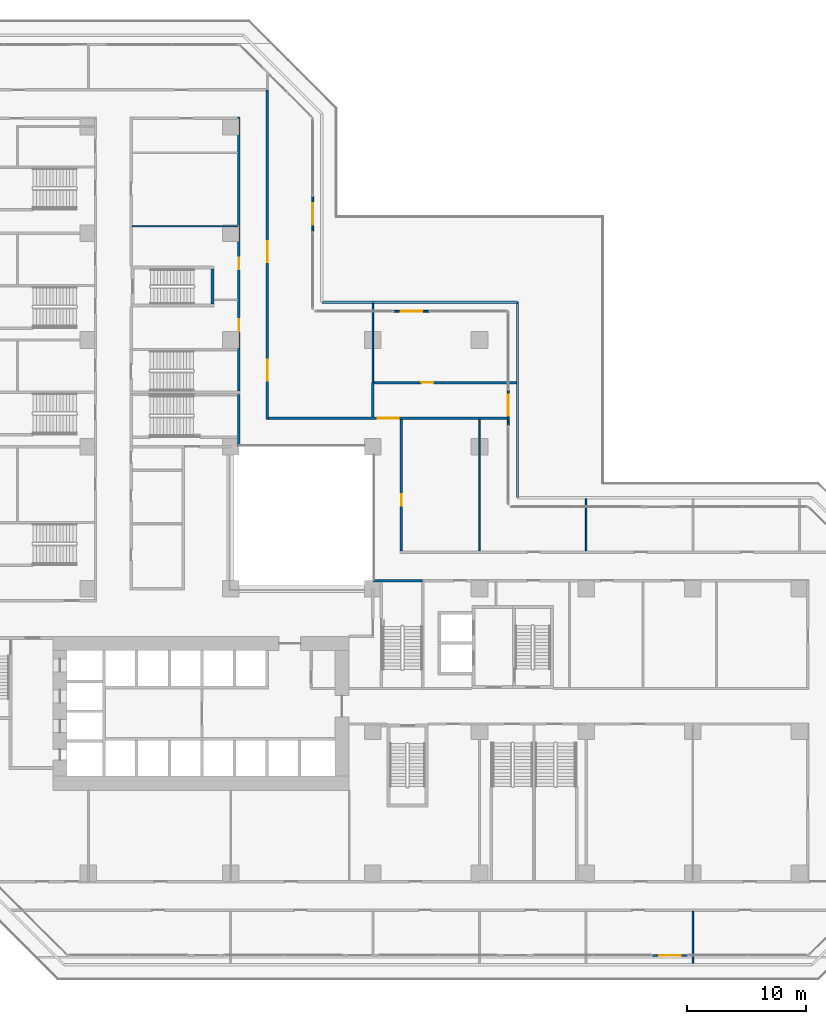
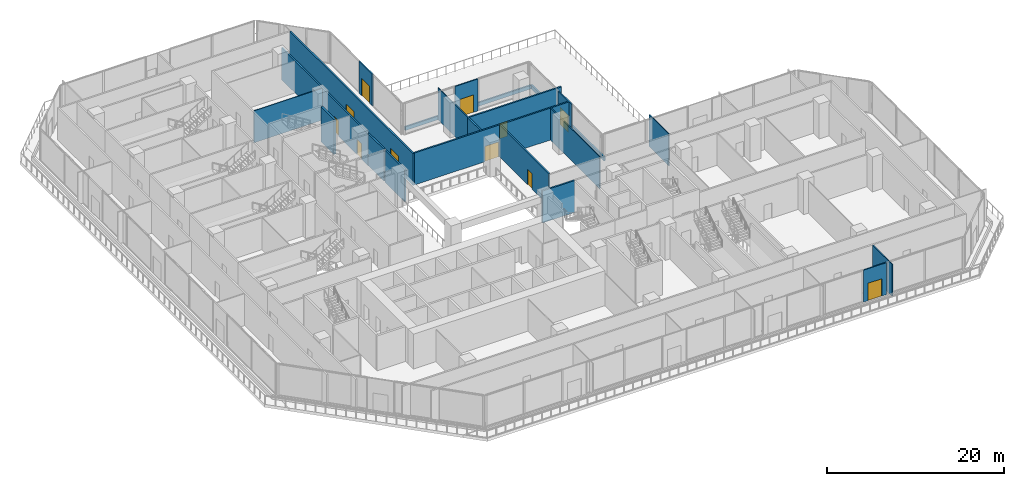
# One storey, part 15 of 25: 21 walls, 11 doors, 11 openings.
"""IFC4 building model written with IfcOpenShell, lengths in metres."""

from ifc_helpers import new_model, si_unit, direction, frame, frame_2d, origin, place, context, subcontext, project, spatial, rectangle, extrude, material, layer, layer_set, type_object, element, fill, save


model = new_model("IFC4")

# Units and contexts
model_context = context("Model", 3, precision=1e-05, world=origin(), true_north=direction((0.0, 1.0)))
body_context = subcontext(model_context, "Body", "Model", "MODEL_VIEW")
ifc_project = project(units=[si_unit("LENGTHUNIT", "METRE"), si_unit("AREAUNIT", "SQUARE_METRE"), si_unit("VOLUMEUNIT", "CUBIC_METRE"), si_unit("PLANEANGLEUNIT", "RADIAN"), si_unit("MASSUNIT", "GRAM", prefix="KILO")], contexts=[model_context])

# Site, building, storey
site_placement = place(None, origin())
site = spatial("IfcSite", under=ifc_project, at=site_placement, CompositionType="ELEMENT")
building_placement = place(site_placement, origin())
building = spatial("IfcBuilding", under=site, at=building_placement, Name="Chenar Terraces", CompositionType="ELEMENT")
storey_placement = place(building_placement, frame((0.0, 0.0, 21.60009765625)))
storey = spatial("IfcBuildingStorey", under=building, at=storey_placement, Name="L04", CompositionType="ELEMENT", Elevation=21.60009765625)

# Walls
ifc_material_1 = material(Name="Gypsum board on steel studs with mineral wool", Category="steel")
ifc_layer_1 = layer(ifc_material_1, 0.125)
ifc_layer_set_1 = layer_set([ifc_layer_1], Name="Gypsum board on steel studs with mineral wool")
wall_type_1 = type_object("IfcWallType", Name="Acoustic partition 125", PredefinedType="PARTITIONING", material=ifc_layer_set_1)
wall_1_placement = place(storey_placement, frame((36.0, 41.39990234375, 0.0), z_axis=(0.0, 0.0, 1.0), x_axis=(0.0, 1.0, 0.0)))
element("IfcWall", 1, at=wall_1_placement, inside=storey, type_object=wall_type_1, Name="Partition L04-078", PredefinedType="PARTITIONING", context=body_context, shape_type="SweptSolid", body=[
    extrude(rectangle(XDim=6.7001953125, YDim=0.125, at=frame_2d((3.35009765625, 0.0))), origin(), (0.0, 0.0, 1.0), 4.39990234375),
])
wall_2_placement = place(storey_placement, frame((45.0, 27.199951171875, 0.0), z_axis=(0.0, 0.0, 1.0), x_axis=(0.0, 1.0, 0.0)))
element("IfcWall", 2, at=wall_2_placement, inside=storey, type_object=wall_type_1, Name="Partition L04-090", PredefinedType="PARTITIONING", context=body_context, shape_type="SweptSolid", body=[
    extrude(rectangle(XDim=11.10009765625, YDim=0.125, at=frame_2d((5.550048828125, 0.0))), origin(), (0.0, 0.0, 1.0), 4.39990234375),
])
for number, where, z_axis, x_axis, name in (
    (3, (54.0, 27.199951171875, 0.0), (0.0, 0.0, 1.0), (0.0, 1.0, 0.0), "Partition L04-099"),
    (4, (63.0, -7.60009765625, 0.0), (0.0, 0.0, 1.0), (0.0, 1.0, 0.0), "Partition L04-101"),
):
    element("IfcWall", number, at=place(storey_placement, frame(where, z_axis=z_axis, x_axis=x_axis)), inside=storey, type_object=wall_type_1, Name=name, PredefinedType="PARTITIONING", context=body_context, shape_type="SweptSolid", body=[
        extrude(rectangle(XDim=4.400146484375, YDim=0.125, at=frame_2d((2.2001953125, 0.0))), origin(), (0.0, 0.0, 1.0), 4.39990234375),
    ])
ifc_material_2 = material(Name="Concrete C70/85", Category="concrete")
ifc_layer_2 = layer(ifc_material_2, 0.25)
ifc_layer_set_2 = layer_set([ifc_layer_2], Name="Concrete C70/85")
wall_type_2 = type_object("IfcWallType", Name="Core wall 250 Concrete C70/85", PredefinedType="SHEAR", material=ifc_layer_set_2)
wall_3_placement = place(storey_placement, frame((22.47509765625, 48.02490234375, 0.0), z_axis=(0.0, 0.0, 1.0), x_axis=(0.0, 1.0, 0.0)))
element("IfcWall", 5, at=wall_3_placement, inside=storey, type_object=wall_type_2, Name="Core wall ST4_E L04", PredefinedType="SHEAR", context=body_context, shape_type="SweptSolid", body=[
    extrude(rectangle(XDim=2.9501953125, YDim=0.25, at=frame_2d((1.47509765625, 0.0))), origin(), (0.0, 0.0, 1.0), 4.7998046875),
])

# Wall, openings, doors
ifc_material_3 = material(Name="Gypsum board on steel studs with fire boards", Category="steel")
ifc_layer_3 = layer(ifc_material_3, 0.199951171875)
ifc_layer_set_3 = layer_set([ifc_layer_3], Name="Gypsum board on steel studs with fire boards")
wall_type_3 = type_object("IfcWallType", Name="Corridor wall 200", PredefinedType="PARTITIONING", material=ifc_layer_set_3)
wall_4_placement = place(storey_placement, frame((24.699951171875, 44.300048828125, 0.0), z_axis=(0.0, 0.0, 1.0), x_axis=(0.0, 1.0, 0.0)))
wall_4 = element("IfcWall", 6, at=wall_4_placement, inside=storey, type_object=wall_type_3, Name="Partition L04-066", PredefinedType="PARTITIONING", context=body_context, shape_type="SweptSolid", body=[
    extrude(rectangle(XDim=19.5, YDim=0.199951171875, at=frame_2d((9.75, 0.0))), origin(), (0.0, 0.0, 1.0), 4.39990234375),
])
opening_1_placement = place(wall_4_placement, frame((1.449951171875, 0.0, 0.0)))
opening_1 = element("IfcOpeningElement", 7, at=opening_1_placement, cuts=wall_4, Name="Opening DL04-19", PredefinedType="OPENING", context=body_context, shape_type="SweptSolid", body=[
    extrude(rectangle(XDim=1.0, YDim=2.10009765625, at=frame_2d((0.5, 1.050048828125))), frame((0.0, 0.10986328125, 0.0), z_axis=(0.0, -1.0, 0.0), x_axis=(1.0, 0.0, 0.0)), (0.0, 0.0, 1.0), 0.219970703125),
])
opening_2_placement = place(wall_4_placement, frame((6.64990234375, 0.0, 0.0)))
opening_2 = element("IfcOpeningElement", 8, at=opening_2_placement, cuts=wall_4, Name="Opening DL04-20", PredefinedType="OPENING", context=body_context, shape_type="SweptSolid", body=[
    extrude(rectangle(XDim=1.0, YDim=2.10009765625, at=frame_2d((0.5, 1.050048828125))), frame((0.0, 0.10986328125, 0.0), z_axis=(0.0, -1.0, 0.0), x_axis=(1.0, 0.0, 0.0)), (0.0, 0.0, 1.0), 0.219970703125),
])
ifc_material_4 = material(Name="Steel-framed fire-resisting door leaf", Category="steel")
door_type_1 = type_object("IfcDoorType", Name="Fire door FD60 1000 x 2100", OperationType="SINGLE_SWING_LEFT", PredefinedType="DOOR", material=ifc_material_4)
door_1_placement = place(opening_1_placement, origin())
door_1 = element("IfcDoor", 9, at=door_1_placement, inside=storey, type_object=door_type_1, Name="Door DL04-19", OperationType="SINGLE_SWING_LEFT", OverallHeight=2.10009765625, OverallWidth=1.0, PredefinedType="DOOR", context=body_context, shape_type="SweptSolid", body=[
    extrude(rectangle(XDim=1.0, YDim=2.10009765625, at=frame_2d((0.5, 1.050048828125))), frame((0.0, 0.02490234375, 0.0), z_axis=(0.0, -1.0, 0.0), x_axis=(1.0, 0.0, 0.0)), (0.0, 0.0, 1.0), 0.050048828125),
])
fill(opening_1, door_1)
door_2_placement = place(opening_2_placement, origin())
door_2 = element("IfcDoor", 10, at=door_2_placement, inside=storey, type_object=door_type_1, Name="Door DL04-20", OperationType="SINGLE_SWING_RIGHT", OverallHeight=2.10009765625, OverallWidth=1.0, PredefinedType="DOOR", context=body_context, shape_type="SweptSolid", body=[
    extrude(rectangle(XDim=1.0, YDim=2.10009765625, at=frame_2d((0.5, 1.050048828125))), frame((0.0, 0.02490234375, 0.0), z_axis=(0.0, -1.0, 0.0), x_axis=(1.0, 0.0, 0.0)), (0.0, 0.0, 1.0), 0.050048828125),
])
fill(opening_2, door_2)

wall_5_placement = place(storey_placement, frame((27.10009765625, 38.300048828125, 0.0), z_axis=(0.0, 0.0, 1.0), x_axis=(0.0, 1.0, 0.0)))
wall_5 = element("IfcWall", 11, at=wall_5_placement, inside=storey, type_object=wall_type_3, Name="Partition L04-067", PredefinedType="PARTITIONING", context=body_context, shape_type="SweptSolid", body=[
    extrude(rectangle(XDim=27.800048828125, YDim=0.199951171875, at=frame_2d((13.89990234375, 0.0))), origin(), (0.0, 0.0, 1.0), 4.39990234375),
])
opening_3_placement = place(wall_5_placement, frame((13.25, 0.0, 0.0)))
opening_3 = element("IfcOpeningElement", 12, at=opening_3_placement, cuts=wall_5, Name="Opening DL04-16", PredefinedType="OPENING", context=body_context, shape_type="SweptSolid", body=[
    extrude(rectangle(XDim=1.800048828125, YDim=2.10009765625, at=frame_2d((0.89990234375, 1.050048828125))), frame((0.0, 0.10986328125, 0.0), z_axis=(0.0, -1.0, 0.0), x_axis=(1.0, 0.0, 0.0)), (0.0, 0.0, 1.0), 0.219970703125),
])
opening_4_placement = place(wall_5_placement, frame((3.25, 0.0, 0.0)))
opening_4 = element("IfcOpeningElement", 13, at=opening_4_placement, cuts=wall_5, Name="Opening DL04-17", PredefinedType="OPENING", context=body_context, shape_type="SweptSolid", body=[
    extrude(rectangle(XDim=1.800048828125, YDim=2.10009765625, at=frame_2d((0.89990234375, 1.050048828125))), frame((0.0, 0.10986328125, 0.0), z_axis=(0.0, -1.0, 0.0), x_axis=(1.0, 0.0, 0.0)), (0.0, 0.0, 1.0), 0.219970703125),
])
ifc_material_5 = material(Name="Steel-framed fire-resisting door leaf", Category="steel")
door_type_2 = type_object("IfcDoorType", Name="Fire double door FD60 1800 x 2100", OperationType="DOUBLE_DOOR_SINGLE_SWING", PredefinedType="DOOR", material=ifc_material_5)
door_3_placement = place(opening_3_placement, origin())
door_3 = element("IfcDoor", 14, at=door_3_placement, inside=storey, type_object=door_type_2, Name="Door DL04-16", OperationType="DOUBLE_DOOR_SINGLE_SWING", OverallHeight=2.10009765625, OverallWidth=1.800048828125, PredefinedType="DOOR", context=body_context, shape_type="SweptSolid", body=[
    extrude(rectangle(XDim=1.800048828125, YDim=2.10009765625, at=frame_2d((0.89990234375, 1.050048828125))), frame((0.0, 0.02490234375, 0.0), z_axis=(0.0, -1.0, 0.0), x_axis=(1.0, 0.0, 0.0)), (0.0, 0.0, 1.0), 0.050048828125),
])
fill(opening_3, door_3)
door_4_placement = place(opening_4_placement, origin())
door_4 = element("IfcDoor", 15, at=door_4_placement, inside=storey, type_object=door_type_2, Name="Door DL04-17", OperationType="DOUBLE_DOOR_SINGLE_SWING", OverallHeight=2.10009765625, OverallWidth=1.800048828125, PredefinedType="DOOR", context=body_context, shape_type="SweptSolid", body=[
    extrude(rectangle(XDim=1.800048828125, YDim=2.10009765625, at=frame_2d((0.89990234375, 1.050048828125))), frame((0.0, 0.02490234375, 0.0), z_axis=(0.0, -1.0, 0.0), x_axis=(1.0, 0.0, 0.0)), (0.0, 0.0, 1.0), 0.050048828125),
])
fill(opening_4, door_4)

# Wall, opening, door
wall_6_placement = place(storey_placement, frame((27.199951171875, 38.39990234375, 0.0), z_axis=(0.0, 0.0, 1.0), x_axis=(1.0, 0.0, 0.0)))
wall_6 = element("IfcWall", 16, at=wall_6_placement, inside=storey, type_object=wall_type_3, Name="Partition L04-069", PredefinedType="PARTITIONING", context=body_context, shape_type="SweptSolid", body=[
    extrude(rectangle(XDim=20.151123046875, YDim=0.199951171875, at=frame_2d((10.07568359375, 0.0))), origin(), (0.0, 0.0, 1.0), 4.39990234375),
])
opening_5_placement = place(wall_6_placement, frame((9.199951171875, 0.0, 0.0)))
opening_5 = element("IfcOpeningElement", 17, at=opening_5_placement, cuts=wall_6, Name="Opening DL04-33", PredefinedType="OPENING", context=body_context, shape_type="SweptSolid", body=[
    extrude(rectangle(XDim=1.800048828125, YDim=2.10009765625, at=frame_2d((0.89990234375, 1.050048828125))), frame((0.0, 0.10986328125, 0.0), z_axis=(0.0, -1.0, 0.0), x_axis=(1.0, 0.0, 0.0)), (0.0, 0.0, 1.0), 0.219970703125),
])
door_5_placement = place(opening_5_placement, origin())
door_5 = element("IfcDoor", 18, at=door_5_placement, inside=storey, type_object=door_type_2, Name="Door DL04-33", OperationType="DOUBLE_DOOR_SINGLE_SWING", OverallHeight=2.10009765625, OverallWidth=1.800048828125, PredefinedType="DOOR", context=body_context, shape_type="SweptSolid", body=[
    extrude(rectangle(XDim=1.800048828125, YDim=2.10009765625, at=frame_2d((0.89990234375, 1.050048828125))), frame((0.0, 0.02490234375, 0.0), z_axis=(0.0, -1.0, 0.0), x_axis=(1.0, 0.0, 0.0)), (0.0, 0.0, 1.0), 0.050048828125),
])
fill(opening_5, door_5)

# Wall
wall_7_placement = place(storey_placement, frame((36.0, 38.5, 0.0), z_axis=(0.0, 0.0, 1.0), x_axis=(0.0, 1.0, 0.0)))
element("IfcWall", 19, at=wall_7_placement, inside=storey, type_object=wall_type_3, Name="Partition L04-077", PredefinedType="PARTITIONING", context=body_context, shape_type="SweptSolid", body=[
    extrude(rectangle(XDim=2.89990234375, YDim=0.199951171875, at=frame_2d((1.449951171875, 0.0))), origin(), (0.0, 0.0, 1.0), 4.39990234375),
])

# Wall, opening, door
wall_8_placement = place(storey_placement, frame((36.10009765625, 41.39990234375, 0.0), z_axis=(0.0, 0.0, 1.0), x_axis=(1.0, 0.0, 0.0)))
wall_8 = element("IfcWall", 20, at=wall_8_placement, inside=storey, type_object=wall_type_3, Name="Partition L04-079", PredefinedType="PARTITIONING", context=body_context, shape_type="SweptSolid", body=[
    extrude(rectangle(XDim=12.0, YDim=0.199951171875, at=frame_2d((6.0, 0.0))), origin(), (0.0, 0.0, 1.0), 4.39990234375),
])
opening_6_placement = place(wall_8_placement, frame((4.0, 0.0, 0.0)))
opening_6 = element("IfcOpeningElement", 21, at=opening_6_placement, cuts=wall_8, Name="Opening DL04-18", PredefinedType="OPENING", context=body_context, shape_type="SweptSolid", body=[
    extrude(rectangle(XDim=1.0, YDim=2.10009765625, at=frame_2d((0.5, 1.050048828125))), frame((0.0, 0.10986328125, 0.0), z_axis=(0.0, -1.0, 0.0), x_axis=(1.0, 0.0, 0.0)), (0.0, 0.0, 1.0), 0.219970703125),
])
door_6_placement = place(opening_6_placement, origin())
door_6 = element("IfcDoor", 22, at=door_6_placement, inside=storey, type_object=door_type_1, Name="Door DL04-18", OperationType="SINGLE_SWING_RIGHT", OverallHeight=2.10009765625, OverallWidth=1.0, PredefinedType="DOOR", context=body_context, shape_type="SweptSolid", body=[
    extrude(rectangle(XDim=1.0, YDim=2.10009765625, at=frame_2d((0.5, 1.050048828125))), frame((0.0, 0.02490234375, 0.0), z_axis=(0.0, -1.0, 0.0), x_axis=(1.0, 0.0, 0.0)), (0.0, 0.0, 1.0), 0.050048828125),
])
fill(opening_6, door_6)

wall_9_placement = place(storey_placement, frame((38.39990234375, 27.199951171875, 0.0), z_axis=(0.0, 0.0, 1.0), x_axis=(0.0, 1.0, 0.0)))
wall_9 = element("IfcWall", 23, at=wall_9_placement, inside=storey, type_object=wall_type_3, Name="Partition L04-081", PredefinedType="PARTITIONING", context=body_context, shape_type="SweptSolid", body=[
    extrude(rectangle(XDim=11.10009765625, YDim=0.199951171875, at=frame_2d((5.550048828125, 0.0))), origin(), (0.0, 0.0, 1.0), 4.39990234375),
])
opening_7_placement = place(wall_9_placement, frame((3.800048828125, 0.0, 0.0)))
opening_7 = element("IfcOpeningElement", 24, at=opening_7_placement, cuts=wall_9, Name="Opening DL04-23", PredefinedType="OPENING", context=body_context, shape_type="SweptSolid", body=[
    extrude(rectangle(XDim=1.0, YDim=2.10009765625, at=frame_2d((0.5, 1.050048828125))), frame((0.0, 0.10986328125, 0.0), z_axis=(0.0, -1.0, 0.0), x_axis=(1.0, 0.0, 0.0)), (0.0, 0.0, 1.0), 0.219970703125),
])
door_7_placement = place(opening_7_placement, frame((1.0, 0.0, 0.0), z_axis=(0.0, 0.0, 1.0), x_axis=(-1.0, 0.0, 0.0)))
door_7 = element("IfcDoor", 25, at=door_7_placement, inside=storey, type_object=door_type_1, Name="Door DL04-23", OperationType="SINGLE_SWING_LEFT", OverallHeight=2.10009765625, OverallWidth=1.0, PredefinedType="DOOR", context=body_context, shape_type="SweptSolid", body=[
    extrude(rectangle(XDim=1.0, YDim=2.10009765625, at=frame_2d((0.5, 1.050048828125))), frame((0.0, 0.02490234375, 0.0), z_axis=(0.0, -1.0, 0.0), x_axis=(1.0, 0.0, 0.0)), (0.0, 0.0, 1.0), 0.050048828125),
])
fill(opening_7, door_7)

# Wall
ifc_material_6 = material(Name="Gypsum board on steel studs", Category="steel")
ifc_layer_4 = layer(ifc_material_6, 0.10009765625)
ifc_layer_set_4 = layer_set([ifc_layer_4], Name="Gypsum board on steel studs")
wall_type_4 = type_object("IfcWallType", Name="Gypsum partition 100", PredefinedType="PARTITIONING", material=ifc_layer_set_4)
wall_10_placement = place(storey_placement, frame((15.699951171875, 54.60009765625, 0.0), z_axis=(0.0, 0.0, 1.0), x_axis=(1.0, 0.0, 0.0)))
element("IfcWall", 26, at=wall_10_placement, inside=storey, type_object=wall_type_4, Name="Partition L04-057", PredefinedType="PARTITIONING", context=body_context, shape_type="SweptSolid", body=[
    extrude(rectangle(XDim=8.900146484375, YDim=0.10009765625, at=frame_2d((4.4501953125, 0.0))), origin(), (0.0, 0.0, 1.0), 4.39990234375),
])

# Wall, opening, door
ifc_material_7 = material(Name="Aluminium framed glazing", Category="aluminium")
ifc_layer_5 = layer(ifc_material_7, 0.14990234375)
ifc_layer_set_5 = layer_set([ifc_layer_5], Name="Aluminium framed glazing")
wall_type_5 = type_object("IfcWallType", Name="Podium glazed wall 150", PredefinedType="SOLIDWALL", material=ifc_layer_set_5)
wall_11_placement = place(storey_placement, frame((30.925048828125, 54.13916015625, 0.0), z_axis=(0.0, 0.0, 1.0), x_axis=(0.0, 1.0, 0.0)))
wall_11 = element("IfcWall", 27, at=wall_11_placement, inside=storey, type_object=wall_type_5, Name="Podium glazed wall", PredefinedType="SOLIDWALL", context=body_context, shape_type="SweptSolid", body=[
    extrude(rectangle(XDim=3.0, YDim=0.14990234375, at=frame_2d((1.5, 0.0))), origin(), (0.0, 0.0, 1.0), 4.39990234375),
])
opening_8_placement = place(wall_11_placement, frame((0.60009765625, 0.0, 0.0)))
opening_8 = element("IfcOpeningElement", 28, at=opening_8_placement, cuts=wall_11, Name="Opening DL04-T1", PredefinedType="OPENING", context=body_context, shape_type="SweptSolid", body=[
    extrude(rectangle(XDim=1.800048828125, YDim=2.39990234375, at=frame_2d((0.89990234375, 1.199951171875))), frame((0.0, 0.0849609375, 0.0), z_axis=(0.0, -1.0, 0.0), x_axis=(1.0, 0.0, 0.0)), (0.0, 0.0, 1.0), 0.169921875),
])
ifc_material_8 = material(Name="Low emissivity double glazing, aluminium frame", Category="aluminium")
door_type_3 = type_object("IfcDoorType", Name="Terrace glazed double door 1800 x 2400", OperationType="DOUBLE_DOOR_SINGLE_SWING", PredefinedType="DOOR", material=ifc_material_8)
door_8_placement = place(opening_8_placement, origin())
door_8 = element("IfcDoor", 29, at=door_8_placement, inside=storey, type_object=door_type_3, Name="Terrace glazed door", OperationType="DOUBLE_DOOR_SINGLE_SWING", OverallHeight=2.39990234375, OverallWidth=1.800048828125, PredefinedType="DOOR", context=body_context, shape_type="SweptSolid", body=[
    extrude(rectangle(XDim=1.800048828125, YDim=2.39990234375, at=frame_2d((0.89990234375, 1.199951171875))), frame((0.0, 0.02490234375, 0.0), z_axis=(0.0, -1.0, 0.0), x_axis=(1.0, 0.0, 0.0)), (0.0, 0.0, 1.0), 0.050048828125),
])
fill(opening_8, door_8)

wall_12_placement = place(storey_placement, frame((59.576904296875, -6.925048828125, 0.0), z_axis=(0.0, 0.0, 1.0), x_axis=(1.0, 0.0, 0.0)))
wall_12 = element("IfcWall", 30, at=wall_12_placement, inside=storey, type_object=wall_type_5, Name="Podium glazed wall", PredefinedType="SOLIDWALL", context=body_context, shape_type="SweptSolid", body=[
    extrude(rectangle(XDim=3.0, YDim=0.14990234375, at=frame_2d((1.5, 0.0))), origin(), (0.0, 0.0, 1.0), 4.39990234375),
])
opening_9_placement = place(wall_12_placement, frame((0.60009765625, 0.0, 0.0)))
opening_9 = element("IfcOpeningElement", 31, at=opening_9_placement, cuts=wall_12, Name="Opening DL04-T4", PredefinedType="OPENING", context=body_context, shape_type="SweptSolid", body=[
    extrude(rectangle(XDim=1.800048828125, YDim=2.39990234375, at=frame_2d((0.89990234375, 1.199951171875))), frame((0.0, 0.0849609375, 0.0), z_axis=(0.0, -1.0, 0.0), x_axis=(1.0, 0.0, 0.0)), (0.0, 0.0, 1.0), 0.169921875),
])
door_9_placement = place(opening_9_placement, origin())
door_9 = element("IfcDoor", 32, at=door_9_placement, inside=storey, type_object=door_type_3, Name="Terrace glazed door", OperationType="DOUBLE_DOOR_SINGLE_SWING", OverallHeight=2.39990234375, OverallWidth=1.800048828125, PredefinedType="DOOR", context=body_context, shape_type="SweptSolid", body=[
    extrude(rectangle(XDim=1.800048828125, YDim=2.39990234375, at=frame_2d((0.89990234375, 1.199951171875))), frame((0.0, 0.02490234375, 0.0), z_axis=(0.0, -1.0, 0.0), x_axis=(1.0, 0.0, 0.0)), (0.0, 0.0, 1.0), 0.050048828125),
])
fill(opening_9, door_9)

wall_13_placement = place(storey_placement, frame((47.425048828125, 37.75, 0.0), z_axis=(0.0, 0.0, 1.0), x_axis=(0.0, 1.0, 0.0)))
wall_13 = element("IfcWall", 33, at=wall_13_placement, inside=storey, type_object=wall_type_5, Name="Podium glazed wall", PredefinedType="SOLIDWALL", context=body_context, shape_type="SweptSolid", body=[
    extrude(rectangle(XDim=3.0, YDim=0.14990234375, at=frame_2d((1.5, 0.0))), origin(), (0.0, 0.0, 1.0), 4.39990234375),
])
opening_10_placement = place(wall_13_placement, frame((0.85009765625, 0.0, 0.0)))
opening_10 = element("IfcOpeningElement", 34, at=opening_10_placement, cuts=wall_13, Name="Opening DL04-T1", PredefinedType="OPENING", context=body_context, shape_type="SweptSolid", body=[
    extrude(rectangle(XDim=1.800048828125, YDim=2.39990234375, at=frame_2d((0.89990234375, 1.199951171875))), frame((0.0, 0.0849609375, 0.0), z_axis=(0.0, -1.0, 0.0), x_axis=(1.0, 0.0, 0.0)), (0.0, 0.0, 1.0), 0.169921875),
])
door_10_placement = place(opening_10_placement, frame((1.800048828125, 0.0, 0.0), z_axis=(0.0, 0.0, 1.0), x_axis=(-1.0, 0.0, 0.0)))
door_10 = element("IfcDoor", 35, at=door_10_placement, inside=storey, type_object=door_type_3, Name="Terrace glazed door", OperationType="DOUBLE_DOOR_SINGLE_SWING", OverallHeight=2.39990234375, OverallWidth=1.800048828125, PredefinedType="DOOR", context=body_context, shape_type="SweptSolid", body=[
    extrude(rectangle(XDim=1.800048828125, YDim=2.39990234375, at=frame_2d((0.89990234375, 1.199951171875))), frame((0.0, 0.02490234375, 0.0), z_axis=(0.0, -1.0, 0.0), x_axis=(1.0, 0.0, 0.0)), (0.0, 0.0, 1.0), 0.050048828125),
])
fill(opening_10, door_10)

wall_14_placement = place(storey_placement, frame((40.75, 47.425048828125, 0.0), z_axis=(0.0, 0.0, 1.0), x_axis=(-1.0, 0.0, 0.0)))
wall_14 = element("IfcWall", 36, at=wall_14_placement, inside=storey, type_object=wall_type_5, Name="Podium glazed wall", PredefinedType="SOLIDWALL", context=body_context, shape_type="SweptSolid", body=[
    extrude(rectangle(XDim=3.0, YDim=0.14990234375, at=frame_2d((1.5, 0.0))), origin(), (0.0, 0.0, 1.0), 4.39990234375),
])
opening_11_placement = place(wall_14_placement, frame((0.60009765625, 0.0, 0.0)))
opening_11 = element("IfcOpeningElement", 37, at=opening_11_placement, cuts=wall_14, Name="Opening DL04-T1", PredefinedType="OPENING", context=body_context, shape_type="SweptSolid", body=[
    extrude(rectangle(XDim=1.800048828125, YDim=2.39990234375, at=frame_2d((0.89990234375, 1.199951171875))), frame((0.0, 0.0849609375, 0.0), z_axis=(0.0, -1.0, 0.0), x_axis=(1.0, 0.0, 0.0)), (0.0, 0.0, 1.0), 0.169921875),
])
door_11_placement = place(opening_11_placement, origin())
door_11 = element("IfcDoor", 38, at=door_11_placement, inside=storey, type_object=door_type_3, Name="Terrace glazed door", OperationType="DOUBLE_DOOR_SINGLE_SWING", OverallHeight=2.39990234375, OverallWidth=1.800048828125, PredefinedType="DOOR", context=body_context, shape_type="SweptSolid", body=[
    extrude(rectangle(XDim=1.800048828125, YDim=2.39990234375, at=frame_2d((0.89990234375, 1.199951171875))), frame((0.0, 0.02490234375, 0.0), z_axis=(0.0, -1.0, 0.0), x_axis=(1.0, 0.0, 0.0)), (0.0, 0.0, 1.0), 0.050048828125),
])
fill(opening_11, door_11)

# Walls
ifc_material_9 = material(Name="Reinforced concrete C40/50", Category="concrete")
ifc_layer_6 = layer(ifc_material_9, 0.199951171875)
ifc_layer_set_6 = layer_set([ifc_layer_6], Name="Reinforced concrete C40/50")
wall_type_6 = type_object("IfcWallType", Name="Stair enclosure wall 200 concrete", PredefinedType="SOLIDWALL", material=ifc_layer_set_6)
wall_15_placement = place(storey_placement, frame((24.699951171875, 36.0, 0.0), z_axis=(0.0, 0.0, 1.0), x_axis=(0.0, 1.0, 0.0)))
element("IfcWall", 39, at=wall_15_placement, inside=storey, type_object=wall_type_6, Name="Stair enclosure wall L04-064", PredefinedType="SOLIDWALL", context=body_context, shape_type="SweptSolid", body=[
    extrude(rectangle(XDim=4.39990234375, YDim=0.199951171875, at=frame_2d((2.199951171875, 0.0))), origin(), (0.0, 0.0, 1.0), 4.39990234375),
])
wall_16_placement = place(storey_placement, frame((24.699951171875, 40.699951171875, 0.0), z_axis=(0.0, 0.0, 1.0), x_axis=(0.0, 1.0, 0.0)))
element("IfcWall", 40, at=wall_16_placement, inside=storey, type_object=wall_type_6, Name="Stair enclosure wall L04-065", PredefinedType="SOLIDWALL", context=body_context, shape_type="SweptSolid", body=[
    extrude(rectangle(XDim=3.60009765625, YDim=0.199951171875, at=frame_2d((1.800048828125, 0.0))), origin(), (0.0, 0.0, 1.0), 4.39990234375),
])
wall_17_placement = place(storey_placement, frame((36.0, 24.699951171875, 0.0), z_axis=(0.0, 0.0, 1.0), x_axis=(1.0, 0.0, 0.0)))
element("IfcWall", 41, at=wall_17_placement, inside=storey, type_object=wall_type_6, Name="Stair enclosure wall L04-076", PredefinedType="SOLIDWALL", context=body_context, shape_type="SweptSolid", body=[
    extrude(rectangle(XDim=4.199951171875, YDim=0.199951171875, at=frame_2d((2.10009765625, 0.0))), origin(), (0.0, 0.0, 1.0), 4.39990234375),
])
ifc_material_10 = material(Name="Terracotta cladding on insulated backing", Category="masonry")
ifc_layer_7 = layer(ifc_material_10, 0.199951171875)
ifc_layer_set_7 = layer_set([ifc_layer_7], Name="Terracotta cladding on insulated backing")
wall_type_7 = type_object("IfcWallType", Name="Terrace parapet upstand 200", PredefinedType="PARAPET", material=ifc_layer_set_7)
for number, where, z_axis, x_axis, name in (
    (42, (31.699951171875, 48.199951171875, 0.0), (0.0, 0.0, 1.0), (1.0, 0.0, 0.0), "Terrace parapet"),
    (43, (48.199951171875, 48.199951171875, 0.0), (0.0, 0.0, 1.0), (0.0, -1.0, 0.0), "Terrace parapet"),
):
    element("IfcWall", number, at=place(storey_placement, frame(where, z_axis=z_axis, x_axis=x_axis)), inside=storey, type_object=wall_type_7, Name=name, PredefinedType="PARAPET", context=body_context, shape_type="SweptSolid", body=[
        extrude(rectangle(XDim=16.5, YDim=0.199951171875, at=frame_2d((8.25, 0.0))), origin(), (0.0, 0.0, 1.0), 0.5),
    ])

save(model, "model.ifc")
